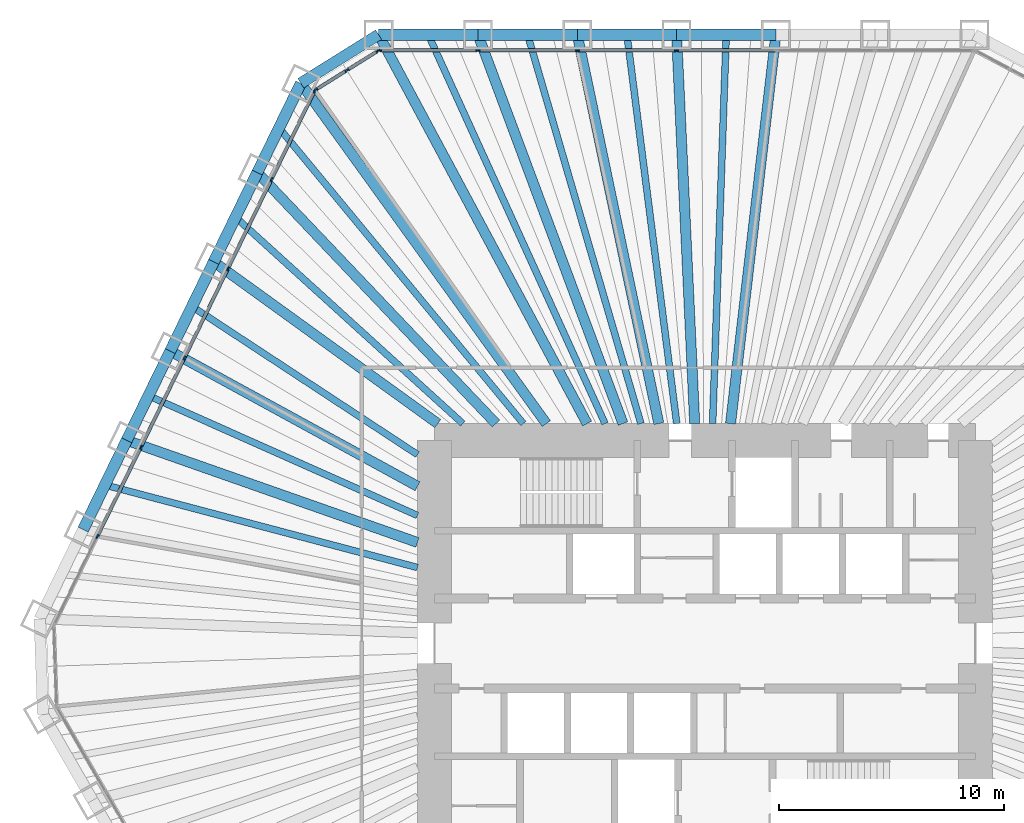
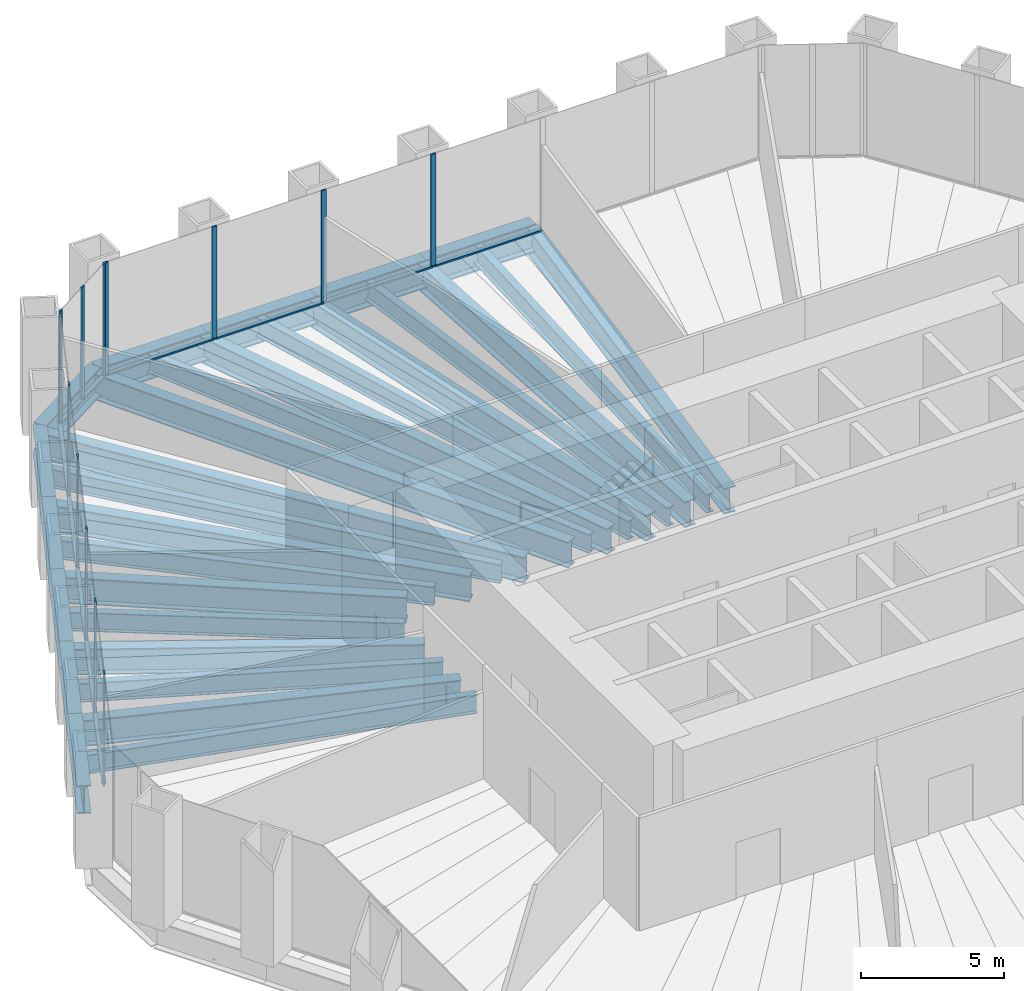
# One storey, part 6 of 13: 29 beams, 24 members, 3 elements without a shape of their own.
"""IFC4 building model written with IfcOpenShell, lengths in metres."""

from ifc_helpers import new_model, si_unit, direction, frame, origin, origin_2d, place, context, subcontext, project, spatial, rectangle, i_section, extrude, material, material_profile, profile_set, type_object, element, aggregate, save


model = new_model("IFC4")

# Units and contexts
model_context = context("Model", 3, precision=1e-05, world=origin(), true_north=direction((0.0, 1.0)))
body_context = subcontext(model_context, "Body", "Model", "MODEL_VIEW")
ifc_project = project(units=[si_unit("LENGTHUNIT", "METRE"), si_unit("AREAUNIT", "SQUARE_METRE"), si_unit("VOLUMEUNIT", "CUBIC_METRE"), si_unit("PLANEANGLEUNIT", "RADIAN"), si_unit("MASSUNIT", "GRAM", prefix="KILO")], contexts=[model_context])

# Site, building, storey
site_placement = place(None, origin())
site = spatial("IfcSite", under=ifc_project, at=site_placement, CompositionType="ELEMENT")
building_placement = place(site_placement, origin())
building = spatial("IfcBuilding", under=site, at=building_placement, Name="Qingtian Harvest Tower", CompositionType="ELEMENT")
storey_placement = place(building_placement, frame((0.0, 0.0, 67.0)))
storey = spatial("IfcBuildingStorey", under=building, at=storey_placement, Name="L13", CompositionType="ELEMENT", Elevation=67.0)

# Beams
ifc_material_1 = material(Name="Steel SM570MC", Category="steel")
ifc_material_profile_1 = material_profile(ifc_material_1, i_section(OverallWidth=0.449951171875, OverallDepth=1.10009765625, WebThickness=0.02197265625, FlangeThickness=0.044921875, at=origin_2d()), Name="H1100x450x22x45")
ifc_profile_set_1 = profile_set([ifc_material_profile_1], Name="Steel SM570MC")
beam_type_1 = type_object("IfcBeamType", Name="Corner floor beam FB8 H1100x450x22x45", PredefinedType="BEAM", material=ifc_profile_set_1)
beam_1_placement = place(storey_placement, frame((-14.471435546875, 27.0, -0.75), z_axis=(0.472401408299, -0.881383520062, 0.0), x_axis=(0.881383520062, 0.472401408299, 0.0)))
element("IfcBeam", 1, at=beam_1_placement, inside=storey, type_object=beam_type_1, Name="Floor beam FB8 N0", PredefinedType="BEAM", context=body_context, shape_type="SweptSolid", body=[
    extrude(i_section(OverallWidth=0.449951171875, OverallDepth=1.10009765625, WebThickness=0.02197265625, FlangeThickness=0.044921875, at=origin_2d()), origin(), (0.0, 0.0, 1.0), 19.571533203125),
])
beam_2_placement = place(storey_placement, frame((-17.923583984375, 24.8427734375, -0.75), z_axis=(0.585095822328, -0.810964166098, 0.0), x_axis=(0.810964166098, 0.585095822328, 0.0)))
element("IfcBeam", 2, at=beam_2_placement, inside=storey, type_object=beam_type_1, Name="Floor beam FB8 NW6", PredefinedType="BEAM", context=body_context, shape_type="SweptSolid", body=[
    extrude(i_section(OverallWidth=0.449951171875, OverallDepth=1.10009765625, WebThickness=0.02197265625, FlangeThickness=0.044921875, at=origin_2d()), origin(), (0.0, 0.0, 1.0), 18.61083984375),
])
ifc_material_2 = material(Name="Steel SM570MC", Category="steel")
ifc_material_profile_2 = material_profile(ifc_material_2, i_section(OverallWidth=0.449951171875, OverallDepth=1.10009765625, WebThickness=0.02197265625, FlangeThickness=0.044921875, at=origin_2d()), Name="H1100x450x22x45")
ifc_profile_set_2 = profile_set([ifc_material_profile_2], Name="Steel SM570MC")
beam_type_2 = type_object("IfcBeamType", Name="Floor beam FB1 H1100x450x22x45", PredefinedType="BEAM", material=ifc_profile_set_2)
beam_3_placement = place(storey_placement, frame((-10.06689453125, 27.0, -0.75), z_axis=(0.349355612113, -0.936990211414, 0.0), x_axis=(0.936990211414, 0.349355612113, 0.0)))
element("IfcBeam", 3, at=beam_3_placement, inside=storey, type_object=beam_type_2, Name="Floor beam FB1 N1", PredefinedType="BEAM", context=body_context, shape_type="SweptSolid", body=[
    extrude(i_section(OverallWidth=0.449951171875, OverallDepth=1.10009765625, WebThickness=0.02197265625, FlangeThickness=0.044921875, at=origin_2d()), origin(), (0.0, 0.0, 1.0), 18.409912109375),
])
beam_4_placement = place(storey_placement, frame((-5.662353515625, 27.0, -0.75), z_axis=(0.205255077335, -0.978708512903, 0.0), x_axis=(0.978708512903, 0.205255077335, 0.0)))
element("IfcBeam", 4, at=beam_4_placement, inside=storey, type_object=beam_type_2, Name="Floor beam FB1 N2", PredefinedType="BEAM", context=body_context, shape_type="SweptSolid", body=[
    extrude(i_section(OverallWidth=0.449951171875, OverallDepth=1.10009765625, WebThickness=0.02197265625, FlangeThickness=0.044921875, at=origin_2d()), origin(), (0.0, 0.0, 1.0), 17.625244140625),
])
beam_5_placement = place(storey_placement, frame((-1.257568359375, 27.0, -0.75), z_axis=(0.046527342366, -0.99891701678, 0.0), x_axis=(0.99891701678, 0.046527342366, 0.0)))
element("IfcBeam", 5, at=beam_5_placement, inside=storey, type_object=beam_type_2, Name="Floor beam FB1 N3", PredefinedType="BEAM", context=body_context, shape_type="SweptSolid", body=[
    extrude(i_section(OverallWidth=0.449951171875, OverallDepth=1.10009765625, WebThickness=0.02197265625, FlangeThickness=0.044921875, at=origin_2d()), origin(), (0.0, 0.0, 1.0), 17.268798828125),
])
beam_6_placement = place(storey_placement, frame((3.14697265625, 27.0, -0.75), z_axis=(-0.115766971807, -0.993276400726, 0.0), x_axis=(0.993276400726, -0.115766971807, 0.0)))
element("IfcBeam", 6, at=beam_6_placement, inside=storey, type_object=beam_type_2, Name="Floor beam FB1 N4", PredefinedType="BEAM", context=body_context, shape_type="SweptSolid", body=[
    extrude(i_section(OverallWidth=0.449951171875, OverallDepth=1.10009765625, WebThickness=0.02197265625, FlangeThickness=0.044921875, at=origin_2d()), origin(), (0.0, 0.0, 1.0), 17.36669921875),
])
beam_7_placement = place(storey_placement, frame((-25.64697265625, 9.007568359375, -0.75), z_axis=(0.943501950009, -0.331366972296, 0.0), x_axis=(0.331366972296, 0.943501950009, 0.0)))
element("IfcBeam", 7, at=beam_7_placement, inside=storey, type_object=beam_type_2, Name="Floor beam FB1 NW2", PredefinedType="BEAM", context=body_context, shape_type="SweptSolid", body=[
    extrude(i_section(OverallWidth=0.449951171875, OverallDepth=1.10009765625, WebThickness=0.02197265625, FlangeThickness=0.044921875, at=origin_2d()), origin(), (0.0, 0.0, 1.0), 13.669189453125),
])
beam_8_placement = place(storey_placement, frame((-23.716064453125, 12.96630859375, -0.75), z_axis=(0.877428569154, -0.479707312882, 0.0), x_axis=(0.479707312882, 0.877428569154, 0.0)))
element("IfcBeam", 8, at=beam_8_placement, inside=storey, type_object=beam_type_2, Name="Floor beam FB1 NW3", PredefinedType="BEAM", context=body_context, shape_type="SweptSolid", body=[
    extrude(i_section(OverallWidth=0.449951171875, OverallDepth=1.10009765625, WebThickness=0.02197265625, FlangeThickness=0.044921875, at=origin_2d()), origin(), (0.0, 0.0, 1.0), 12.498046875),
])
beam_9_placement = place(storey_placement, frame((-21.78515625, 16.92529296875, -0.75), z_axis=(0.810680279019, -0.585489099139, 0.0), x_axis=(0.585489099139, 0.810680279019, 0.0)))
element("IfcBeam", 9, at=beam_9_placement, inside=storey, type_object=beam_type_2, Name="Floor beam FB1 NW4", PredefinedType="BEAM", context=body_context, shape_type="SweptSolid", body=[
    extrude(i_section(OverallWidth=0.449951171875, OverallDepth=1.10009765625, WebThickness=0.02197265625, FlangeThickness=0.044921875, at=origin_2d()), origin(), (0.0, 0.0, 1.0), 12.255126953125),
])
beam_10_placement = place(storey_placement, frame((-19.8544921875, 20.884033203125, -0.75), z_axis=(0.689018801535, -0.724743465739, 0.0), x_axis=(0.724743465739, 0.689018801535, 0.0)))
element("IfcBeam", 10, at=beam_10_placement, inside=storey, type_object=beam_type_2, Name="Floor beam FB1 NW5", PredefinedType="BEAM", context=body_context, shape_type="SweptSolid", body=[
    extrude(i_section(OverallWidth=0.449951171875, OverallDepth=1.10009765625, WebThickness=0.02197265625, FlangeThickness=0.044921875, at=origin_2d()), origin(), (0.0, 0.0, 1.0), 15.36279296875),
])
ifc_material_3 = material(Name="Steel SN490B", Category="steel")
ifc_material_profile_3 = material_profile(ifc_material_3, i_section(OverallWidth=0.300048828125, OverallDepth=0.800048828125, WebThickness=0.013916015625, FlangeThickness=0.02587890625, at=origin_2d()), Name="H800x300x14x26")
ifc_profile_set_3 = profile_set([ifc_material_profile_3], Name="Steel SN490B")
beam_type_3 = type_object("IfcBeamType", Name="Floor joist J1 H800x300x14x26", PredefinedType="JOIST", material=ifc_profile_set_3)
beam_11_placement = place(storey_placement, frame((-12.269287109375, 27.0, -0.60009765625), z_axis=(0.413713629402, -0.910407069858, 0.0), x_axis=(0.910407069858, 0.413713629402, 0.0)))
element("IfcBeam", 11, at=beam_11_placement, inside=storey, type_object=beam_type_3, Name="Floor joist J1 N0", PredefinedType="JOIST", context=body_context, shape_type="SweptSolid", body=[
    extrude(i_section(OverallWidth=0.300048828125, OverallDepth=0.800048828125, WebThickness=0.013916015625, FlangeThickness=0.02587890625, at=origin_2d()), origin(), (0.0, 0.0, 1.0), 18.947509765625),
])
beam_12_placement = place(storey_placement, frame((-7.864501953125, 27.0, -0.60009765625), z_axis=(0.279649335299, -0.960102207719, 0.0), x_axis=(0.960102207719, 0.279649335299, 0.0)))
element("IfcBeam", 12, at=beam_12_placement, inside=storey, type_object=beam_type_3, Name="Floor joist J1 N1", PredefinedType="JOIST", context=body_context, shape_type="SweptSolid", body=[
    extrude(i_section(OverallWidth=0.300048828125, OverallDepth=0.800048828125, WebThickness=0.013916015625, FlangeThickness=0.02587890625, at=origin_2d()), origin(), (0.0, 0.0, 1.0), 17.966796875),
])
beam_13_placement = place(storey_placement, frame((-3.4599609375, 27.0, -0.60009765625), z_axis=(0.127102696173, -0.991889562716, 0.0), x_axis=(0.991889562716, 0.127102696173, 0.0)))
element("IfcBeam", 13, at=beam_13_placement, inside=storey, type_object=beam_type_3, Name="Floor joist J1 N2", PredefinedType="JOIST", context=body_context, shape_type="SweptSolid", body=[
    extrude(i_section(OverallWidth=0.300048828125, OverallDepth=0.800048828125, WebThickness=0.013916015625, FlangeThickness=0.02587890625, at=origin_2d()), origin(), (0.0, 0.0, 1.0), 17.39111328125),
])
beam_14_placement = place(storey_placement, frame((0.944580078125, 27.0, -0.60009765625), z_axis=(-0.034965020137, -0.99938853674, 0.0), x_axis=(0.99938853674, -0.034965020137, 0.0)))
element("IfcBeam", 14, at=beam_14_placement, inside=storey, type_object=beam_type_3, Name="Floor joist J1 N3", PredefinedType="JOIST", context=body_context, shape_type="SweptSolid", body=[
    extrude(i_section(OverallWidth=0.300048828125, OverallDepth=0.800048828125, WebThickness=0.013916015625, FlangeThickness=0.02587890625, at=origin_2d()), origin(), (0.0, 0.0, 1.0), 17.260498046875),
])
beam_15_placement = place(storey_placement, frame((-26.6123046875, 7.028076171875, -0.60009765625), z_axis=(0.966852496992, -0.255335561684, 0.0), x_axis=(0.255335561684, 0.966852496992, 0.0)))
element("IfcBeam", 15, at=beam_15_placement, inside=storey, type_object=beam_type_3, Name="Floor joist J1 NW1", PredefinedType="JOIST", context=body_context, shape_type="SweptSolid", body=[
    extrude(i_section(OverallWidth=0.300048828125, OverallDepth=0.800048828125, WebThickness=0.013916015625, FlangeThickness=0.02587890625, at=origin_2d()), origin(), (0.0, 0.0, 1.0), 14.337646484375),
])
beam_16_placement = place(storey_placement, frame((-24.681640625, 10.987060546875, -0.60009765625), z_axis=(0.913567796195, -0.406686466157, 0.0), x_axis=(0.406686466157, 0.913567796195, 0.0)))
element("IfcBeam", 16, at=beam_16_placement, inside=storey, type_object=beam_type_3, Name="Floor joist J1 NW2", PredefinedType="JOIST", context=body_context, shape_type="SweptSolid", body=[
    extrude(i_section(OverallWidth=0.300048828125, OverallDepth=0.800048828125, WebThickness=0.013916015625, FlangeThickness=0.02587890625, at=origin_2d()), origin(), (0.0, 0.0, 1.0), 13.060546875),
])
beam_17_placement = place(storey_placement, frame((-22.750732421875, 14.94580078125, -0.60009765625), z_axis=(0.835785467613, -0.549056146607, 0.0), x_axis=(0.549056146607, 0.835785467613, 0.0)))
element("IfcBeam", 17, at=beam_17_placement, inside=storey, type_object=beam_type_3, Name="Floor joist J1 NW3", PredefinedType="JOIST", context=body_context, shape_type="SweptSolid", body=[
    extrude(i_section(OverallWidth=0.300048828125, OverallDepth=0.800048828125, WebThickness=0.013916015625, FlangeThickness=0.02587890625, at=origin_2d()), origin(), (0.0, 0.0, 1.0), 11.965576171875),
])
beam_18_placement = place(storey_placement, frame((-20.81982421875, 18.904541015625, -0.60009765625), z_axis=(0.740339866926, -0.672232758381, 0.0), x_axis=(0.672232758381, 0.740339866926, 0.0)))
element("IfcBeam", 18, at=beam_18_placement, inside=storey, type_object=beam_type_3, Name="Floor joist J1 NW4", PredefinedType="JOIST", context=body_context, shape_type="SweptSolid", body=[
    extrude(i_section(OverallWidth=0.300048828125, OverallDepth=0.800048828125, WebThickness=0.013916015625, FlangeThickness=0.02587890625, at=origin_2d()), origin(), (0.0, 0.0, 1.0), 13.6181640625),
])
beam_19_placement = place(storey_placement, frame((-18.888916015625, 22.863525390625, -0.60009765625), z_axis=(0.636910378144, -0.77093785107, 0.0), x_axis=(0.77093785107, 0.636910378144, 0.0)))
element("IfcBeam", 19, at=beam_19_placement, inside=storey, type_object=beam_type_3, Name="Floor joist J1 NW5", PredefinedType="JOIST", context=body_context, shape_type="SweptSolid", body=[
    extrude(i_section(OverallWidth=0.300048828125, OverallDepth=0.800048828125, WebThickness=0.013916015625, FlangeThickness=0.02587890625, at=origin_2d()), origin(), (0.0, 0.0, 1.0), 17.009765625),
])

# Curtain wall, members
ifc_material_4 = material(Name="Bronze-anodised aluminium curtain wall", Category="aluminium")
curtain_wall_type = type_object("IfcCurtainWallType", Name="Curtain wall CW2 farm reception", PredefinedType="USERDEFINED", material=ifc_material_4)
curtain_wall_1_placement = place(storey_placement, origin())
curtain_wall_1 = element("IfcCurtainWall", 20, at=curtain_wall_1_placement, inside=storey, type_object=curtain_wall_type, Name="Curtain wall CW2 L13 N0-5", ObjectType="RECESSED CURTAIN WALL", PredefinedType="USERDEFINED")
ifc_material_5 = material(Name="Bronze-anodised aluminium mullion", Category="aluminium")
ifc_material_profile_4 = material_profile(ifc_material_5, rectangle(XDim=0.06494140625, YDim=0.199951171875, at=origin_2d()), Name="AL 65x200")
ifc_profile_set_4 = profile_set([ifc_material_profile_4], Name="Bronze-anodised aluminium mullion")
member_type_1 = type_object("IfcMemberType", Name="Mullion CWM 65x200", PredefinedType="MULLION", material=ifc_profile_set_4)
member_1_placement = place(storey_placement, frame((-14.43896484375, 26.300048828125, 0.0), z_axis=(0.0, 0.0, 1.0), x_axis=(0.0, 1.0, 0.0)))
member_1 = element("IfcMember", 21, at=member_1_placement, type_object=member_type_1, Name="CW2 mullion 1", PredefinedType="MULLION", context=body_context, shape_type="SweptSolid", body=[
    extrude(rectangle(XDim=0.06494140625, YDim=0.199951171875, at=origin_2d()), origin(), (0.0, 0.0, 1.0), 4.800048828125),
])
member_2_placement = place(storey_placement, frame((-10.06689453125, 26.300048828125, 0.0), z_axis=(0.0, 0.0, 1.0), x_axis=(0.0, 1.0, 0.0)))
member_2 = element("IfcMember", 22, at=member_2_placement, type_object=member_type_1, Name="CW2 mullion 2", PredefinedType="MULLION", context=body_context, shape_type="SweptSolid", body=[
    extrude(rectangle(XDim=0.06494140625, YDim=0.199951171875, at=origin_2d()), origin(), (0.0, 0.0, 1.0), 4.800048828125),
])
member_3_placement = place(storey_placement, frame((-5.662353515625, 26.300048828125, 0.0), z_axis=(0.0, 0.0, 1.0), x_axis=(0.0, 1.0, 0.0)))
member_3 = element("IfcMember", 23, at=member_3_placement, type_object=member_type_1, Name="CW2 mullion 3", PredefinedType="MULLION", context=body_context, shape_type="SweptSolid", body=[
    extrude(rectangle(XDim=0.06494140625, YDim=0.199951171875, at=origin_2d()), origin(), (0.0, 0.0, 1.0), 4.800048828125),
])
member_4_placement = place(storey_placement, frame((-1.257568359375, 26.300048828125, 0.0), z_axis=(0.0, 0.0, 1.0), x_axis=(0.0, 1.0, 0.0)))
member_4 = element("IfcMember", 24, at=member_4_placement, type_object=member_type_1, Name="CW2 mullion 4", PredefinedType="MULLION", context=body_context, shape_type="SweptSolid", body=[
    extrude(rectangle(XDim=0.06494140625, YDim=0.199951171875, at=origin_2d()), origin(), (0.0, 0.0, 1.0), 4.800048828125),
])

curtain_wall_2_placement = place(storey_placement, origin())
curtain_wall_2 = element("IfcCurtainWall", 25, at=curtain_wall_2_placement, inside=storey, type_object=curtain_wall_type, Name="Curtain wall CW2 L13 NW0-5", ObjectType="RECESSED CURTAIN WALL", PredefinedType="USERDEFINED")
member_5_placement = place(storey_placement, frame((-26.94873046875, 4.741943359375, 0.0), z_axis=(0.0, 0.0, 1.0), x_axis=(-0.898794046299, 0.438371146789, 0.0)))
member_5 = element("IfcMember", 26, at=member_5_placement, type_object=member_type_1, Name="CW2 mullion 2", PredefinedType="MULLION", context=body_context, shape_type="SweptSolid", body=[
    extrude(rectangle(XDim=0.06494140625, YDim=0.199951171875, at=origin_2d()), origin(), (0.0, 0.0, 1.0), 4.800048828125),
])
member_6_placement = place(storey_placement, frame((-25.017822265625, 8.70068359375, 0.0), z_axis=(0.0, 0.0, 1.0), x_axis=(-0.898794046299, 0.438371146789, 0.0)))
member_6 = element("IfcMember", 27, at=member_6_placement, type_object=member_type_1, Name="CW2 mullion 3", PredefinedType="MULLION", context=body_context, shape_type="SweptSolid", body=[
    extrude(rectangle(XDim=0.06494140625, YDim=0.199951171875, at=origin_2d()), origin(), (0.0, 0.0, 1.0), 4.800048828125),
])
member_7_placement = place(storey_placement, frame((-23.0869140625, 12.659423828125, 0.0), z_axis=(0.0, 0.0, 1.0), x_axis=(-0.898794046299, 0.438371146789, 0.0)))
member_7 = element("IfcMember", 28, at=member_7_placement, type_object=member_type_1, Name="CW2 mullion 4", PredefinedType="MULLION", context=body_context, shape_type="SweptSolid", body=[
    extrude(rectangle(XDim=0.06494140625, YDim=0.199951171875, at=origin_2d()), origin(), (0.0, 0.0, 1.0), 4.800048828125),
])
member_8_placement = place(storey_placement, frame((-21.156005859375, 16.618408203125, 0.0), z_axis=(0.0, 0.0, 1.0), x_axis=(-0.898794046299, 0.438371146789, 0.0)))
member_8 = element("IfcMember", 29, at=member_8_placement, type_object=member_type_1, Name="CW2 mullion 5", PredefinedType="MULLION", context=body_context, shape_type="SweptSolid", body=[
    extrude(rectangle(XDim=0.06494140625, YDim=0.199951171875, at=origin_2d()), origin(), (0.0, 0.0, 1.0), 4.800048828125),
])
member_9_placement = place(storey_placement, frame((-19.225341796875, 20.5771484375, 0.0), z_axis=(0.0, 0.0, 1.0), x_axis=(-0.898794046299, 0.438371146789, 0.0)))
member_9 = element("IfcMember", 30, at=member_9_placement, type_object=member_type_1, Name="CW2 mullion 6", PredefinedType="MULLION", context=body_context, shape_type="SweptSolid", body=[
    extrude(rectangle(XDim=0.06494140625, YDim=0.199951171875, at=origin_2d()), origin(), (0.0, 0.0, 1.0), 4.800048828125),
])
member_10_placement = place(storey_placement, frame((-17.30859375, 24.5068359375, 0.0), z_axis=(0.0, 0.0, 1.0), x_axis=(-0.898794046299, 0.438371146789, 0.0)))
member_10 = element("IfcMember", 31, at=member_10_placement, type_object=member_type_1, Name="CW2 mullion 7", PredefinedType="MULLION", context=body_context, shape_type="SweptSolid", body=[
    extrude(rectangle(XDim=0.06494140625, YDim=0.199951171875, at=origin_2d()), origin(), (0.0, 0.0, 1.0), 4.800048828125),
])

curtain_wall_3_placement = place(storey_placement, origin())
curtain_wall_3 = element("IfcCurtainWall", 32, at=curtain_wall_3_placement, inside=storey, type_object=curtain_wall_type, Name="Curtain wall CW2 L13 NWC", ObjectType="RECESSED CURTAIN WALL", PredefinedType="USERDEFINED")
member_11_placement = place(storey_placement, frame((-17.266845703125, 24.55322265625, 0.0), z_axis=(0.0, 0.0, 1.0), x_axis=(-0.529919264233, 0.848048096156, 0.0)))
member_11 = element("IfcMember", 33, at=member_11_placement, type_object=member_type_1, Name="CW2 mullion 1", PredefinedType="MULLION", context=body_context, shape_type="SweptSolid", body=[
    extrude(rectangle(XDim=0.06494140625, YDim=0.199951171875, at=origin_2d()), origin(), (0.0, 0.0, 1.0), 4.800048828125),
])
member_12_placement = place(storey_placement, frame((-15.883056640625, 25.41796875, 0.0), z_axis=(0.0, 0.0, 1.0), x_axis=(-0.529919264233, 0.848048096156, 0.0)))
member_12 = element("IfcMember", 34, at=member_12_placement, type_object=member_type_1, Name="CW2 mullion 2", PredefinedType="MULLION", context=body_context, shape_type="SweptSolid", body=[
    extrude(rectangle(XDim=0.06494140625, YDim=0.199951171875, at=origin_2d()), origin(), (0.0, 0.0, 1.0), 4.800048828125),
])
member_13_placement = place(storey_placement, frame((-14.4990234375, 26.28271484375, 0.0), z_axis=(0.0, 0.0, 1.0), x_axis=(-0.529919264233, 0.848048096156, 0.0)))
member_13 = element("IfcMember", 35, at=member_13_placement, type_object=member_type_1, Name="CW2 mullion 3", PredefinedType="MULLION", context=body_context, shape_type="SweptSolid", body=[
    extrude(rectangle(XDim=0.06494140625, YDim=0.199951171875, at=origin_2d()), origin(), (0.0, 0.0, 1.0), 4.800048828125),
])

# Beams
ifc_material_6 = material(Name="Steel SM570MC", Category="steel")
ifc_material_profile_5 = material_profile(ifc_material_6, i_section(OverallWidth=0.5, OverallDepth=1.199951171875, WebThickness=0.02490234375, FlangeThickness=0.050048828125, at=origin_2d()), Name="H1200x500x25x50")
ifc_profile_set_5 = profile_set([ifc_material_profile_5], Name="Steel SM570MC")
beam_type_4 = type_object("IfcBeamType", Name="Spandrel beam SB1 H1200x500x25x50", PredefinedType="SPANDREL", material=ifc_profile_set_5)
for number, where, z_axis, x_axis, name in (
    (36, (-14.471435546875, 27.0, -0.60009765625), (1.0, 0.0, 0.0), (0.0, 1.0, 0.0), "Spandrel SB1 N0"),
    (37, (-10.06689453125, 27.0, -0.60009765625), (1.0, 0.0, 0.0), (0.0, 1.0, 0.0), "Spandrel SB1 N1"),
):
    element("IfcBeam", number, at=place(storey_placement, frame(where, z_axis=z_axis, x_axis=x_axis)), inside=storey, type_object=beam_type_4, Name=name, PredefinedType="SPANDREL", context=body_context, shape_type="SweptSolid", body=[
        extrude(i_section(OverallWidth=0.5, OverallDepth=1.199951171875, WebThickness=0.02490234375, FlangeThickness=0.050048828125, at=origin_2d()), origin(), (0.0, 0.0, 1.0), 4.404541015625),
    ])
beam_20_placement = place(storey_placement, frame((-5.662353515625, 27.0, -0.60009765625), z_axis=(1.0, 0.0, 0.0), x_axis=(0.0, 1.0, 0.0)))
element("IfcBeam", 38, at=beam_20_placement, inside=storey, type_object=beam_type_4, Name="Spandrel SB1 N2", PredefinedType="SPANDREL", context=body_context, shape_type="SweptSolid", body=[
    extrude(i_section(OverallWidth=0.5, OverallDepth=1.199951171875, WebThickness=0.02490234375, FlangeThickness=0.050048828125, at=origin_2d()), origin(), (0.0, 0.0, 1.0), 4.40478515625),
])
for number, where, z_axis, x_axis, name in (
    (39, (-1.257568359375, 27.0, -0.60009765625), (1.0, 0.0, 0.0), (0.0, 1.0, 0.0), "Spandrel SB1 N3"),
    (40, (-27.577880859375, 5.048828125, -0.60009765625), (0.438389777529, 0.898784959241, 0.0), (-0.898784959241, 0.438389777529, 0.0), "Spandrel SB1 NW1"),
    (41, (-25.64697265625, 9.007568359375, -0.60009765625), (0.438389777529, 0.898784959241, 0.0), (-0.898784959241, 0.438389777529, 0.0), "Spandrel SB1 NW2"),
):
    element("IfcBeam", number, at=place(storey_placement, frame(where, z_axis=z_axis, x_axis=x_axis)), inside=storey, type_object=beam_type_4, Name=name, PredefinedType="SPANDREL", context=body_context, shape_type="SweptSolid", body=[
        extrude(i_section(OverallWidth=0.5, OverallDepth=1.199951171875, WebThickness=0.02490234375, FlangeThickness=0.050048828125, at=origin_2d()), origin(), (0.0, 0.0, 1.0), 4.404541015625),
    ])
beam_21_placement = place(storey_placement, frame((-23.716064453125, 12.96630859375, -0.60009765625), z_axis=(0.438367938366, 0.898795611145, 0.0), x_axis=(-0.898795611145, 0.438367938366, 0.0)))
element("IfcBeam", 42, at=beam_21_placement, inside=storey, type_object=beam_type_4, Name="Spandrel SB1 NW3", PredefinedType="SPANDREL", context=body_context, shape_type="SweptSolid", body=[
    extrude(i_section(OverallWidth=0.5, OverallDepth=1.199951171875, WebThickness=0.02490234375, FlangeThickness=0.050048828125, at=origin_2d()), origin(), (0.0, 0.0, 1.0), 4.40478515625),
])
for number, where, z_axis, x_axis, name in (
    (43, (-21.78515625, 16.92529296875, -0.60009765625), (0.438344999367, 0.898806798778, 0.0), (-0.898806798778, 0.438344999367, 0.0), "Spandrel SB1 NW4"),
    (44, (-19.8544921875, 20.884033203125, -0.60009765625), (0.438389777529, 0.898784959241, 0.0), (-0.898784959241, 0.438389777529, 0.0), "Spandrel SB1 NW5"),
):
    element("IfcBeam", number, at=place(storey_placement, frame(where, z_axis=z_axis, x_axis=x_axis)), inside=storey, type_object=beam_type_4, Name=name, PredefinedType="SPANDREL", context=body_context, shape_type="SweptSolid", body=[
        extrude(i_section(OverallWidth=0.5, OverallDepth=1.199951171875, WebThickness=0.02490234375, FlangeThickness=0.050048828125, at=origin_2d()), origin(), (0.0, 0.0, 1.0), 4.404541015625),
    ])
beam_22_placement = place(storey_placement, frame((-17.923583984375, 24.8427734375, -0.60009765625), z_axis=(0.848038733752, 0.529934246919, 0.0), x_axis=(-0.529934246919, 0.848038733752, 0.0)))
element("IfcBeam", 45, at=beam_22_placement, inside=storey, type_object=beam_type_4, Name="Spandrel SB1 NWC", PredefinedType="SPANDREL", context=body_context, shape_type="SweptSolid", body=[
    extrude(i_section(OverallWidth=0.5, OverallDepth=1.199951171875, WebThickness=0.02490234375, FlangeThickness=0.050048828125, at=origin_2d()), origin(), (0.0, 0.0, 1.0), 4.07080078125),
])

# Member
ifc_material_7 = material(Name="Bronze-anodised aluminium transom", Category="aluminium")
ifc_material_profile_6 = material_profile(ifc_material_7, rectangle(XDim=0.14990234375, YDim=0.06494140625, at=origin_2d()), Name="AL 65x150")
ifc_profile_set_6 = profile_set([ifc_material_profile_6], Name="Bronze-anodised aluminium transom")
member_type_2 = type_object("IfcMemberType", Name="Transom CWT 65x150", PredefinedType="USERDEFINED", material=ifc_profile_set_6)
member_14_placement = place(storey_placement, frame((-14.406494140625, 26.300048828125, 0.032470703125), z_axis=(1.0, 0.0, 0.0), x_axis=(0.0, 1.0, 0.0)))
member_14 = element("IfcMember", 46, at=member_14_placement, type_object=member_type_2, Name="CW2 transom 1.1", ObjectType="TRANSOM", PredefinedType="USERDEFINED", context=body_context, shape_type="SweptSolid", body=[
    extrude(rectangle(XDim=0.14990234375, YDim=0.06494140625, at=origin_2d()), origin(), (0.0, 0.0, 1.0), 4.30712890625),
])

member_15_placement = place(storey_placement, frame((-10.034423828125, 26.300048828125, 0.032470703125), z_axis=(1.0, 0.0, 0.0), x_axis=(0.0, 1.0, 0.0)))
member_15 = element("IfcMember", 47, at=member_15_placement, type_object=member_type_2, Name="CW2 transom 2.1", ObjectType="TRANSOM", PredefinedType="USERDEFINED", context=body_context, shape_type="SweptSolid", body=[
    extrude(rectangle(XDim=0.14990234375, YDim=0.06494140625, at=origin_2d()), origin(), (0.0, 0.0, 1.0), 4.339599609375),
])

member_16_placement = place(storey_placement, frame((-5.6298828125, 26.300048828125, 0.032470703125), z_axis=(1.0, 0.0, 0.0), x_axis=(0.0, 1.0, 0.0)))
member_16 = element("IfcMember", 48, at=member_16_placement, type_object=member_type_2, Name="CW2 transom 3.1", ObjectType="TRANSOM", PredefinedType="USERDEFINED", context=body_context, shape_type="SweptSolid", body=[
    extrude(rectangle(XDim=0.14990234375, YDim=0.06494140625, at=origin_2d()), origin(), (0.0, 0.0, 1.0), 4.33984375),
])

member_17_placement = place(storey_placement, frame((-1.22509765625, 26.300048828125, 0.032470703125), z_axis=(1.0, 0.0, 0.0), x_axis=(0.0, 1.0, 0.0)))
member_17 = element("IfcMember", 49, at=member_17_placement, type_object=member_type_2, Name="CW2 transom 4.1", ObjectType="TRANSOM", PredefinedType="USERDEFINED", context=body_context, shape_type="SweptSolid", body=[
    extrude(rectangle(XDim=0.14990234375, YDim=0.06494140625, at=origin_2d()), origin(), (0.0, 0.0, 1.0), 4.339599609375),
])

aggregate(curtain_wall_1, [member_1, member_2, member_3, member_4, member_14, member_15, member_16, member_17])

member_18_placement = place(storey_placement, frame((-26.934326171875, 4.77099609375, 0.032470703125), z_axis=(0.438370427127, 0.898794397302, 0.0), x_axis=(-0.898794397302, 0.438370427127, 0.0)))
member_18 = element("IfcMember", 50, at=member_18_placement, type_object=member_type_2, Name="CW2 transom 2.1", ObjectType="TRANSOM", PredefinedType="USERDEFINED", context=body_context, shape_type="SweptSolid", body=[
    extrude(rectangle(XDim=0.14990234375, YDim=0.06494140625, at=origin_2d()), origin(), (0.0, 0.0, 1.0), 4.339599609375),
])

member_19_placement = place(storey_placement, frame((-25.003662109375, 8.72998046875, 0.032470703125), z_axis=(0.438370427127, 0.898794397302, 0.0), x_axis=(-0.898794397302, 0.438370427127, 0.0)))
member_19 = element("IfcMember", 51, at=member_19_placement, type_object=member_type_2, Name="CW2 transom 3.1", ObjectType="TRANSOM", PredefinedType="USERDEFINED", context=body_context, shape_type="SweptSolid", body=[
    extrude(rectangle(XDim=0.14990234375, YDim=0.06494140625, at=origin_2d()), origin(), (0.0, 0.0, 1.0), 4.339599609375),
])

member_20_placement = place(storey_placement, frame((-23.07275390625, 12.688720703125, 0.032470703125), z_axis=(0.438370427127, 0.898794397302, 0.0), x_axis=(-0.898794397302, 0.438370427127, 0.0)))
member_20 = element("IfcMember", 52, at=member_20_placement, type_object=member_type_2, Name="CW2 transom 4.1", ObjectType="TRANSOM", PredefinedType="USERDEFINED", context=body_context, shape_type="SweptSolid", body=[
    extrude(rectangle(XDim=0.14990234375, YDim=0.06494140625, at=origin_2d()), origin(), (0.0, 0.0, 1.0), 4.339599609375),
])

member_21_placement = place(storey_placement, frame((-21.141845703125, 16.6474609375, 0.032470703125), z_axis=(0.438348261778, 0.898805207704, 0.0), x_axis=(-0.898805207704, 0.438348261778, 0.0)))
member_21 = element("IfcMember", 53, at=member_21_placement, type_object=member_type_2, Name="CW2 transom 5.1", ObjectType="TRANSOM", PredefinedType="USERDEFINED", context=body_context, shape_type="SweptSolid", body=[
    extrude(rectangle(XDim=0.14990234375, YDim=0.06494140625, at=origin_2d()), origin(), (0.0, 0.0, 1.0), 4.33984375),
])

member_22_placement = place(storey_placement, frame((-19.2109375, 20.6064453125, 0.032470703125), z_axis=(0.438348803491, 0.89880494351, 0.0), x_axis=(-0.89880494351, 0.438348803491, 0.0)))
member_22 = element("IfcMember", 54, at=member_22_placement, type_object=member_type_2, Name="CW2 transom 6.1", ObjectType="TRANSOM", PredefinedType="USERDEFINED", context=body_context, shape_type="SweptSolid", body=[
    extrude(rectangle(XDim=0.14990234375, YDim=0.06494140625, at=origin_2d()), origin(), (0.0, 0.0, 1.0), 4.306884765625),
])

aggregate(curtain_wall_2, [member_5, member_6, member_7, member_8, member_9, member_10, member_18, member_19, member_20, member_21, member_22])

member_23_placement = place(storey_placement, frame((-17.2392578125, 24.570556640625, 0.032470703125), z_axis=(0.848059570903, 0.529900900357, 0.0), x_axis=(-0.529900900357, 0.848059570903, 0.0)))
member_23 = element("IfcMember", 55, at=member_23_placement, type_object=member_type_2, Name="CW2 transom 1.1", ObjectType="TRANSOM", PredefinedType="USERDEFINED", context=body_context, shape_type="SweptSolid", body=[
    extrude(rectangle(XDim=0.14990234375, YDim=0.06494140625, at=origin_2d()), origin(), (0.0, 0.0, 1.0), 1.56689453125),
])

member_24_placement = place(storey_placement, frame((-15.85546875, 25.435302734375, 0.032470703125), z_axis=(0.848059570903, 0.529900900357, 0.0), x_axis=(-0.529900900357, 0.848059570903, 0.0)))
member_24 = element("IfcMember", 56, at=member_24_placement, type_object=member_type_2, Name="CW2 transom 2.1", ObjectType="TRANSOM", PredefinedType="USERDEFINED", context=body_context, shape_type="SweptSolid", body=[
    extrude(rectangle(XDim=0.14990234375, YDim=0.06494140625, at=origin_2d()), origin(), (0.0, 0.0, 1.0), 1.56689453125),
])

aggregate(curtain_wall_3, [member_11, member_12, member_13, member_23, member_24])

save(model, "model.ifc")
